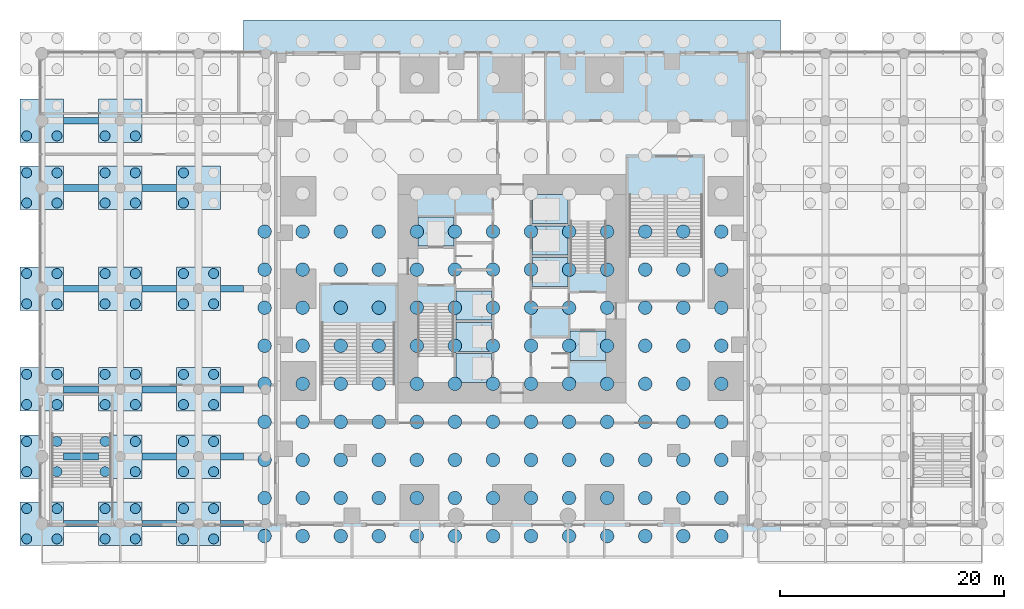
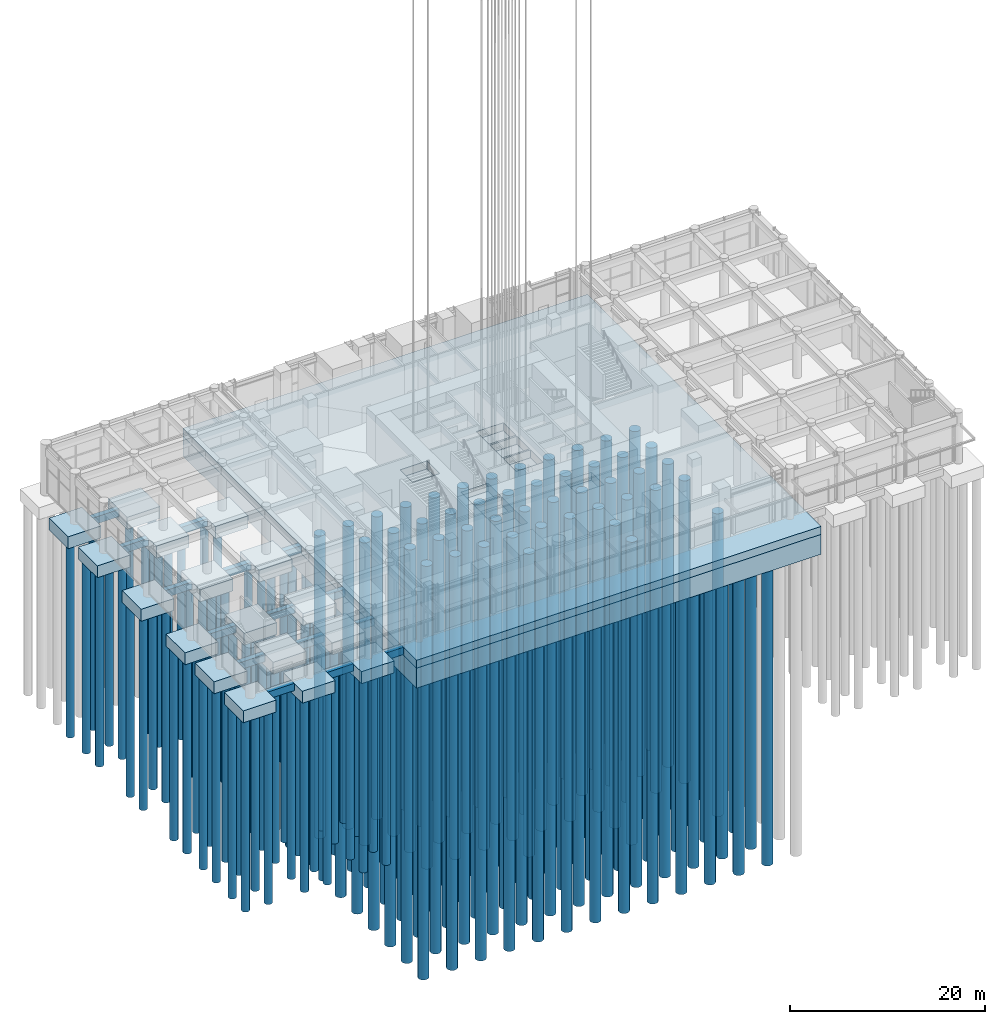
# One storey, part 1 of 46: 179 piles, 34 footings.
"""IFC4 building model written with IfcOpenShell, lengths in metres."""

from ifc_helpers import new_model, si_unit, direction, frame, frame_2d, origin, origin_2d, place, context, subcontext, project, spatial, polyline, rectangle, circle, outline, extrude, material, material_profile, profile_set, type_object, element, save


model = new_model("IFC4")

# Units and contexts
model_context = context("Model", 3, precision=1e-05, world=origin(), true_north=direction((0.0, 1.0)))
body_context = subcontext(model_context, "Body", "Model", "MODEL_VIEW")
ifc_project = project(units=[si_unit("LENGTHUNIT", "METRE"), si_unit("AREAUNIT", "SQUARE_METRE"), si_unit("VOLUMEUNIT", "CUBIC_METRE"), si_unit("PLANEANGLEUNIT", "RADIAN"), si_unit("MASSUNIT", "GRAM", prefix="KILO")], contexts=[model_context])

# Site, building, storey
site_placement = place(None, origin())
site = spatial("IfcSite", under=ifc_project, at=site_placement, CompositionType="ELEMENT")
building_placement = place(site_placement, origin())
building = spatial("IfcBuilding", under=site, at=building_placement, Name="Svetlomir Tower", CompositionType="ELEMENT")
storey_placement = place(building_placement, origin())
storey = spatial("IfcBuildingStorey", under=building, at=storey_placement, Name="L00", CompositionType="ELEMENT", Elevation=0.0)

# Piles
ifc_material_1 = material(Name="Concrete C30/37", Category="concrete")
ifc_material_profile_1 = material_profile(ifc_material_1, circle(Radius=0.60009765625, at=origin_2d()), Name="D1200")
ifc_profile_set_1 = profile_set([ifc_material_profile_1], Name="Concrete C30/37")
pile_type_1 = type_object("IfcPileType", Name="BORED PILE D1200", PredefinedType="BORED", material=ifc_profile_set_1)
for number, where, z_axis, x_axis, name in (
    (1, (-1.10009765625, -1.10009765625, -3.89990234375), (0.0, 0.0, -1.0), (1.0, 0.0, 0.0), "Raft pile R01-01"),
    (2, (-1.10009765625, 2.300048828125, -3.89990234375), (0.0, 0.0, -1.0), (1.0, 0.0, 0.0), "Raft pile R01-02"),
    (3, (-1.10009765625, 5.699951171875, -3.89990234375), (0.0, 0.0, -1.0), (1.0, 0.0, 0.0), "Raft pile R01-03"),
    (4, (-1.10009765625, 9.10009765625, -3.89990234375), (0.0, 0.0, -1.0), (1.0, 0.0, 0.0), "Raft pile R01-04"),
    (5, (-1.10009765625, 12.5, -3.89990234375), (0.0, 0.0, -1.0), (1.0, 0.0, 0.0), "Raft pile R01-05"),
    (6, (-1.10009765625, 15.89990234375, -3.89990234375), (0.0, 0.0, -1.0), (1.0, 0.0, 0.0), "Raft pile R01-06"),
    (7, (-1.10009765625, 19.300048828125, -3.89990234375), (0.0, 0.0, -1.0), (1.0, 0.0, 0.0), "Raft pile R01-07"),
    (8, (-1.10009765625, 22.699951171875, -3.89990234375), (0.0, 0.0, -1.0), (1.0, 0.0, 0.0), "Raft pile R01-08"),
    (9, (-1.10009765625, 26.10009765625, -3.89990234375), (0.0, 0.0, -1.0), (1.0, 0.0, 0.0), "Raft pile R01-09"),
    (10, (2.300048828125, -1.10009765625, -3.89990234375), (0.0, 0.0, -1.0), (1.0, 0.0, 0.0), "Raft pile R02-01"),
    (11, (2.300048828125, 2.300048828125, -3.89990234375), (0.0, 0.0, -1.0), (1.0, 0.0, 0.0), "Raft pile R02-02"),
    (12, (2.300048828125, 5.699951171875, -3.89990234375), (0.0, 0.0, -1.0), (1.0, 0.0, 0.0), "Raft pile R02-03"),
    (13, (2.300048828125, 9.10009765625, -3.89990234375), (0.0, 0.0, -1.0), (1.0, 0.0, 0.0), "Raft pile R02-04"),
    (14, (2.300048828125, 12.5, -3.89990234375), (0.0, 0.0, -1.0), (1.0, 0.0, 0.0), "Raft pile R02-05"),
    (15, (2.300048828125, 15.89990234375, -3.89990234375), (0.0, 0.0, -1.0), (1.0, 0.0, 0.0), "Raft pile R02-06"),
    (16, (2.300048828125, 19.300048828125, -3.89990234375), (0.0, 0.0, -1.0), (1.0, 0.0, 0.0), "Raft pile R02-07"),
    (17, (2.300048828125, 22.699951171875, -3.89990234375), (0.0, 0.0, -1.0), (1.0, 0.0, 0.0), "Raft pile R02-08"),
    (18, (2.300048828125, 26.10009765625, -3.89990234375), (0.0, 0.0, -1.0), (1.0, 0.0, 0.0), "Raft pile R02-09"),
    (19, (5.699951171875, -1.10009765625, -3.89990234375), (0.0, 0.0, -1.0), (1.0, 0.0, 0.0), "Raft pile R03-01"),
    (20, (5.699951171875, 2.300048828125, -3.89990234375), (0.0, 0.0, -1.0), (1.0, 0.0, 0.0), "Raft pile R03-02"),
    (21, (5.699951171875, 5.699951171875, -3.89990234375), (0.0, 0.0, -1.0), (1.0, 0.0, 0.0), "Raft pile R03-03"),
    (22, (5.699951171875, 9.10009765625, -3.89990234375), (0.0, 0.0, -1.0), (1.0, 0.0, 0.0), "Raft pile R03-04"),
    (23, (5.699951171875, 12.5, -3.89990234375), (0.0, 0.0, -1.0), (1.0, 0.0, 0.0), "Raft pile R03-05"),
    (24, (5.699951171875, 15.89990234375, -3.89990234375), (0.0, 0.0, -1.0), (1.0, 0.0, 0.0), "Raft pile R03-06"),
    (25, (5.699951171875, 19.300048828125, -3.89990234375), (0.0, 0.0, -1.0), (1.0, 0.0, 0.0), "Raft pile R03-07"),
    (26, (5.699951171875, 22.699951171875, -3.89990234375), (0.0, 0.0, -1.0), (1.0, 0.0, 0.0), "Raft pile R03-08"),
    (27, (5.699951171875, 26.10009765625, -3.89990234375), (0.0, 0.0, -1.0), (1.0, 0.0, 0.0), "Raft pile R03-09"),
    (28, (9.10009765625, -1.10009765625, -3.89990234375), (0.0, 0.0, -1.0), (1.0, 0.0, 0.0), "Raft pile R04-01"),
    (29, (9.10009765625, 2.300048828125, -3.89990234375), (0.0, 0.0, -1.0), (1.0, 0.0, 0.0), "Raft pile R04-02"),
    (30, (9.10009765625, 5.699951171875, -3.89990234375), (0.0, 0.0, -1.0), (1.0, 0.0, 0.0), "Raft pile R04-03"),
    (31, (9.10009765625, 9.10009765625, -3.89990234375), (0.0, 0.0, -1.0), (1.0, 0.0, 0.0), "Raft pile R04-04"),
    (32, (9.10009765625, 12.5, -3.89990234375), (0.0, 0.0, -1.0), (1.0, 0.0, 0.0), "Raft pile R04-05"),
    (33, (9.10009765625, 15.89990234375, -3.89990234375), (0.0, 0.0, -1.0), (1.0, 0.0, 0.0), "Raft pile R04-06"),
    (34, (9.10009765625, 19.300048828125, -3.89990234375), (0.0, 0.0, -1.0), (1.0, 0.0, 0.0), "Raft pile R04-07"),
    (35, (9.10009765625, 22.699951171875, -3.89990234375), (0.0, 0.0, -1.0), (1.0, 0.0, 0.0), "Raft pile R04-08"),
    (36, (9.10009765625, 26.10009765625, -3.89990234375), (0.0, 0.0, -1.0), (1.0, 0.0, 0.0), "Raft pile R04-09"),
    (37, (12.5, -1.10009765625, -3.89990234375), (0.0, 0.0, -1.0), (1.0, 0.0, 0.0), "Raft pile R05-01"),
    (38, (12.5, 2.300048828125, -3.89990234375), (0.0, 0.0, -1.0), (1.0, 0.0, 0.0), "Raft pile R05-02"),
    (39, (12.5, 5.699951171875, -3.89990234375), (0.0, 0.0, -1.0), (1.0, 0.0, 0.0), "Raft pile R05-03"),
    (40, (12.5, 9.10009765625, -3.89990234375), (0.0, 0.0, -1.0), (1.0, 0.0, 0.0), "Raft pile R05-04"),
    (41, (12.5, 12.5, -3.89990234375), (0.0, 0.0, -1.0), (1.0, 0.0, 0.0), "Raft pile R05-05"),
    (42, (12.5, 15.89990234375, -3.89990234375), (0.0, 0.0, -1.0), (1.0, 0.0, 0.0), "Raft pile R05-06"),
    (43, (12.5, 19.300048828125, -3.89990234375), (0.0, 0.0, -1.0), (1.0, 0.0, 0.0), "Raft pile R05-07"),
    (44, (12.5, 22.699951171875, -3.89990234375), (0.0, 0.0, -1.0), (1.0, 0.0, 0.0), "Raft pile R05-08"),
    (45, (12.5, 26.10009765625, -3.89990234375), (0.0, 0.0, -1.0), (1.0, 0.0, 0.0), "Raft pile R05-09"),
    (46, (15.89990234375, -1.10009765625, -3.89990234375), (0.0, 0.0, -1.0), (1.0, 0.0, 0.0), "Raft pile R06-01"),
    (47, (15.89990234375, 2.300048828125, -3.89990234375), (0.0, 0.0, -1.0), (1.0, 0.0, 0.0), "Raft pile R06-02"),
    (48, (15.89990234375, 5.699951171875, -3.89990234375), (0.0, 0.0, -1.0), (1.0, 0.0, 0.0), "Raft pile R06-03"),
    (49, (15.89990234375, 9.10009765625, -3.89990234375), (0.0, 0.0, -1.0), (1.0, 0.0, 0.0), "Raft pile R06-04"),
    (50, (15.89990234375, 12.5, -3.89990234375), (0.0, 0.0, -1.0), (1.0, 0.0, 0.0), "Raft pile R06-05"),
    (51, (15.89990234375, 15.89990234375, -3.89990234375), (0.0, 0.0, -1.0), (1.0, 0.0, 0.0), "Raft pile R06-06"),
    (52, (15.89990234375, 19.300048828125, -3.89990234375), (0.0, 0.0, -1.0), (1.0, 0.0, 0.0), "Raft pile R06-07"),
    (53, (15.89990234375, 22.699951171875, -3.89990234375), (0.0, 0.0, -1.0), (1.0, 0.0, 0.0), "Raft pile R06-08"),
    (54, (15.89990234375, 26.10009765625, -3.89990234375), (0.0, 0.0, -1.0), (1.0, 0.0, 0.0), "Raft pile R06-09"),
    (55, (19.300048828125, -1.10009765625, -3.89990234375), (0.0, 0.0, -1.0), (1.0, 0.0, 0.0), "Raft pile R07-01"),
    (56, (19.300048828125, 2.300048828125, -3.89990234375), (0.0, 0.0, -1.0), (1.0, 0.0, 0.0), "Raft pile R07-02"),
    (57, (19.300048828125, 5.699951171875, -3.89990234375), (0.0, 0.0, -1.0), (1.0, 0.0, 0.0), "Raft pile R07-03"),
    (58, (19.300048828125, 9.10009765625, -3.89990234375), (0.0, 0.0, -1.0), (1.0, 0.0, 0.0), "Raft pile R07-04"),
    (59, (19.300048828125, 12.5, -3.89990234375), (0.0, 0.0, -1.0), (1.0, 0.0, 0.0), "Raft pile R07-05"),
    (60, (19.300048828125, 15.89990234375, -3.89990234375), (0.0, 0.0, -1.0), (1.0, 0.0, 0.0), "Raft pile R07-06"),
    (61, (19.300048828125, 19.300048828125, -3.89990234375), (0.0, 0.0, -1.0), (1.0, 0.0, 0.0), "Raft pile R07-07"),
    (62, (19.300048828125, 22.699951171875, -3.89990234375), (0.0, 0.0, -1.0), (1.0, 0.0, 0.0), "Raft pile R07-08"),
    (63, (19.300048828125, 26.10009765625, -3.89990234375), (0.0, 0.0, -1.0), (1.0, 0.0, 0.0), "Raft pile R07-09"),
    (64, (22.699951171875, -1.10009765625, -3.89990234375), (0.0, 0.0, -1.0), (1.0, 0.0, 0.0), "Raft pile R08-01"),
    (65, (22.699951171875, 2.300048828125, -3.89990234375), (0.0, 0.0, -1.0), (1.0, 0.0, 0.0), "Raft pile R08-02"),
    (66, (22.699951171875, 5.699951171875, -3.89990234375), (0.0, 0.0, -1.0), (1.0, 0.0, 0.0), "Raft pile R08-03"),
    (67, (22.699951171875, 9.10009765625, -3.89990234375), (0.0, 0.0, -1.0), (1.0, 0.0, 0.0), "Raft pile R08-04"),
    (68, (22.699951171875, 12.5, -3.89990234375), (0.0, 0.0, -1.0), (1.0, 0.0, 0.0), "Raft pile R08-05"),
    (69, (22.699951171875, 15.89990234375, -3.89990234375), (0.0, 0.0, -1.0), (1.0, 0.0, 0.0), "Raft pile R08-06"),
    (70, (22.699951171875, 19.300048828125, -3.89990234375), (0.0, 0.0, -1.0), (1.0, 0.0, 0.0), "Raft pile R08-07"),
    (71, (22.699951171875, 22.699951171875, -3.89990234375), (0.0, 0.0, -1.0), (1.0, 0.0, 0.0), "Raft pile R08-08"),
    (72, (22.699951171875, 26.10009765625, -3.89990234375), (0.0, 0.0, -1.0), (1.0, 0.0, 0.0), "Raft pile R08-09"),
    (73, (26.10009765625, -1.10009765625, -3.89990234375), (0.0, 0.0, -1.0), (1.0, 0.0, 0.0), "Raft pile R09-01"),
    (74, (26.10009765625, 2.300048828125, -3.89990234375), (0.0, 0.0, -1.0), (1.0, 0.0, 0.0), "Raft pile R09-02"),
    (75, (26.10009765625, 5.699951171875, -3.89990234375), (0.0, 0.0, -1.0), (1.0, 0.0, 0.0), "Raft pile R09-03"),
    (76, (26.10009765625, 9.10009765625, -3.89990234375), (0.0, 0.0, -1.0), (1.0, 0.0, 0.0), "Raft pile R09-04"),
    (77, (26.10009765625, 12.5, -3.89990234375), (0.0, 0.0, -1.0), (1.0, 0.0, 0.0), "Raft pile R09-05"),
    (78, (26.10009765625, 15.89990234375, -3.89990234375), (0.0, 0.0, -1.0), (1.0, 0.0, 0.0), "Raft pile R09-06"),
    (79, (26.10009765625, 19.300048828125, -3.89990234375), (0.0, 0.0, -1.0), (1.0, 0.0, 0.0), "Raft pile R09-07"),
    (80, (26.10009765625, 22.699951171875, -3.89990234375), (0.0, 0.0, -1.0), (1.0, 0.0, 0.0), "Raft pile R09-08"),
    (81, (26.10009765625, 26.10009765625, -3.89990234375), (0.0, 0.0, -1.0), (1.0, 0.0, 0.0), "Raft pile R09-09"),
    (82, (29.5, -1.10009765625, -3.89990234375), (0.0, 0.0, -1.0), (1.0, 0.0, 0.0), "Raft pile R10-01"),
    (83, (29.5, 2.300048828125, -3.89990234375), (0.0, 0.0, -1.0), (1.0, 0.0, 0.0), "Raft pile R10-02"),
    (84, (29.5, 5.699951171875, -3.89990234375), (0.0, 0.0, -1.0), (1.0, 0.0, 0.0), "Raft pile R10-03"),
    (85, (29.5, 9.10009765625, -3.89990234375), (0.0, 0.0, -1.0), (1.0, 0.0, 0.0), "Raft pile R10-04"),
    (86, (29.5, 12.5, -3.89990234375), (0.0, 0.0, -1.0), (1.0, 0.0, 0.0), "Raft pile R10-05"),
    (87, (29.5, 15.89990234375, -3.89990234375), (0.0, 0.0, -1.0), (1.0, 0.0, 0.0), "Raft pile R10-06"),
    (88, (29.5, 19.300048828125, -3.89990234375), (0.0, 0.0, -1.0), (1.0, 0.0, 0.0), "Raft pile R10-07"),
    (89, (29.5, 22.699951171875, -3.89990234375), (0.0, 0.0, -1.0), (1.0, 0.0, 0.0), "Raft pile R10-08"),
    (90, (29.5, 26.10009765625, -3.89990234375), (0.0, 0.0, -1.0), (1.0, 0.0, 0.0), "Raft pile R10-09"),
    (91, (32.89990234375, -1.10009765625, -3.89990234375), (0.0, 0.0, -1.0), (1.0, 0.0, 0.0), "Raft pile R11-01"),
    (92, (32.89990234375, 2.300048828125, -3.89990234375), (0.0, 0.0, -1.0), (1.0, 0.0, 0.0), "Raft pile R11-02"),
    (93, (32.89990234375, 5.699951171875, -3.89990234375), (0.0, 0.0, -1.0), (1.0, 0.0, 0.0), "Raft pile R11-03"),
    (94, (32.89990234375, 9.10009765625, -3.89990234375), (0.0, 0.0, -1.0), (1.0, 0.0, 0.0), "Raft pile R11-04"),
    (95, (32.89990234375, 12.5, -3.89990234375), (0.0, 0.0, -1.0), (1.0, 0.0, 0.0), "Raft pile R11-05"),
    (96, (32.89990234375, 15.89990234375, -3.89990234375), (0.0, 0.0, -1.0), (1.0, 0.0, 0.0), "Raft pile R11-06"),
    (97, (32.89990234375, 19.300048828125, -3.89990234375), (0.0, 0.0, -1.0), (1.0, 0.0, 0.0), "Raft pile R11-07"),
    (98, (32.89990234375, 22.699951171875, -3.89990234375), (0.0, 0.0, -1.0), (1.0, 0.0, 0.0), "Raft pile R11-08"),
    (99, (32.89990234375, 26.10009765625, -3.89990234375), (0.0, 0.0, -1.0), (1.0, 0.0, 0.0), "Raft pile R11-09"),
    (100, (36.300048828125, -1.10009765625, -3.89990234375), (0.0, 0.0, -1.0), (1.0, 0.0, 0.0), "Raft pile R12-01"),
    (101, (36.300048828125, 2.300048828125, -3.89990234375), (0.0, 0.0, -1.0), (1.0, 0.0, 0.0), "Raft pile R12-02"),
    (102, (36.300048828125, 5.699951171875, -3.89990234375), (0.0, 0.0, -1.0), (1.0, 0.0, 0.0), "Raft pile R12-03"),
    (103, (36.300048828125, 9.10009765625, -3.89990234375), (0.0, 0.0, -1.0), (1.0, 0.0, 0.0), "Raft pile R12-04"),
    (104, (36.300048828125, 12.5, -3.89990234375), (0.0, 0.0, -1.0), (1.0, 0.0, 0.0), "Raft pile R12-05"),
    (105, (36.300048828125, 15.89990234375, -3.89990234375), (0.0, 0.0, -1.0), (1.0, 0.0, 0.0), "Raft pile R12-06"),
    (106, (36.300048828125, 19.300048828125, -3.89990234375), (0.0, 0.0, -1.0), (1.0, 0.0, 0.0), "Raft pile R12-07"),
    (107, (36.300048828125, 22.699951171875, -3.89990234375), (0.0, 0.0, -1.0), (1.0, 0.0, 0.0), "Raft pile R12-08"),
    (108, (36.300048828125, 26.10009765625, -3.89990234375), (0.0, 0.0, -1.0), (1.0, 0.0, 0.0), "Raft pile R12-09"),
    (109, (39.699951171875, -1.10009765625, -3.89990234375), (0.0, 0.0, -1.0), (1.0, 0.0, 0.0), "Raft pile R13-01"),
    (110, (39.699951171875, 2.300048828125, -3.89990234375), (0.0, 0.0, -1.0), (1.0, 0.0, 0.0), "Raft pile R13-02"),
    (111, (39.699951171875, 5.699951171875, -3.89990234375), (0.0, 0.0, -1.0), (1.0, 0.0, 0.0), "Raft pile R13-03"),
    (112, (39.699951171875, 9.10009765625, -3.89990234375), (0.0, 0.0, -1.0), (1.0, 0.0, 0.0), "Raft pile R13-04"),
    (113, (39.699951171875, 12.5, -3.89990234375), (0.0, 0.0, -1.0), (1.0, 0.0, 0.0), "Raft pile R13-05"),
    (114, (39.699951171875, 15.89990234375, -3.89990234375), (0.0, 0.0, -1.0), (1.0, 0.0, 0.0), "Raft pile R13-06"),
    (115, (39.699951171875, 19.300048828125, -3.89990234375), (0.0, 0.0, -1.0), (1.0, 0.0, 0.0), "Raft pile R13-07"),
    (116, (39.699951171875, 22.699951171875, -3.89990234375), (0.0, 0.0, -1.0), (1.0, 0.0, 0.0), "Raft pile R13-08"),
    (117, (39.699951171875, 26.10009765625, -3.89990234375), (0.0, 0.0, -1.0), (1.0, 0.0, 0.0), "Raft pile R13-09"),
):
    element("IfcPile", number, at=place(storey_placement, frame(where, z_axis=z_axis, x_axis=x_axis)), inside=storey, type_object=pile_type_1, Name=name, PredefinedType="BORED", context=body_context, shape_type="SweptSolid", body=[
        extrude(circle(Radius=0.60009765625, at=frame_2d((0.0, 0.0), x_axis=(0.999847695156, 0.017452406437))), origin(), (0.0, 0.0, 1.0), 38.0),
    ])
ifc_material_2 = material(Name="Concrete C30/37", Category="concrete")
ifc_material_profile_2 = material_profile(ifc_material_2, circle(Radius=0.449951171875, at=origin_2d()), Name="RC D900")
ifc_profile_set_2 = profile_set([ifc_material_profile_2], Name="Concrete C30/37")
pile_type_2 = type_object("IfcPileType", Name="BORED PILE D900", PredefinedType="BORED", material=ifc_profile_set_2)
for number, where, z_axis, x_axis, name in (
    (118, (-22.35009765625, -1.35009765625, -1.89990234375), (0.0, 0.0, -1.0), (1.0, 0.0, 0.0), "Cap pile -21/0-1"),
    (119, (-19.64990234375, -1.35009765625, -1.89990234375), (0.0, 0.0, -1.0), (1.0, 0.0, 0.0), "Cap pile -21/0-2"),
    (120, (-22.35009765625, 1.35009765625, -1.89990234375), (0.0, 0.0, -1.0), (1.0, 0.0, 0.0), "Cap pile -21/0-3"),
    (121, (-19.64990234375, 1.35009765625, -1.89990234375), (0.0, 0.0, -1.0), (1.0, 0.0, 0.0), "Cap pile -21/0-4"),
    (122, (-15.35009765625, -1.35009765625, -1.89990234375), (0.0, 0.0, -1.0), (1.0, 0.0, 0.0), "Cap pile -14/0-1"),
    (123, (-12.64990234375, -1.35009765625, -1.89990234375), (0.0, 0.0, -1.0), (1.0, 0.0, 0.0), "Cap pile -14/0-2"),
    (124, (-15.35009765625, 1.35009765625, -1.89990234375), (0.0, 0.0, -1.0), (1.0, 0.0, 0.0), "Cap pile -14/0-3"),
    (125, (-12.64990234375, 1.35009765625, -1.89990234375), (0.0, 0.0, -1.0), (1.0, 0.0, 0.0), "Cap pile -14/0-4"),
    (126, (-8.35009765625, -1.35009765625, -1.89990234375), (0.0, 0.0, -1.0), (1.0, 0.0, 0.0), "Cap pile -7/0-1"),
    (127, (-5.64990234375, -1.35009765625, -1.89990234375), (0.0, 0.0, -1.0), (1.0, 0.0, 0.0), "Cap pile -7/0-2"),
    (128, (-8.35009765625, 1.35009765625, -1.89990234375), (0.0, 0.0, -1.0), (1.0, 0.0, 0.0), "Cap pile -7/0-3"),
    (129, (-5.64990234375, 1.35009765625, -1.89990234375), (0.0, 0.0, -1.0), (1.0, 0.0, 0.0), "Cap pile -7/0-4"),
    (130, (-22.35009765625, 4.64990234375, -1.89990234375), (0.0, 0.0, -1.0), (1.0, 0.0, 0.0), "Cap pile -21/6-1"),
    (131, (-19.64990234375, 4.64990234375, -1.89990234375), (0.0, 0.0, -1.0), (1.0, 0.0, 0.0), "Cap pile -21/6-2"),
    (132, (-22.35009765625, 7.35009765625, -1.89990234375), (0.0, 0.0, -1.0), (1.0, 0.0, 0.0), "Cap pile -21/6-3"),
    (133, (-19.64990234375, 7.35009765625, -1.89990234375), (0.0, 0.0, -1.0), (1.0, 0.0, 0.0), "Cap pile -21/6-4"),
    (134, (-15.35009765625, 4.64990234375, -1.89990234375), (0.0, 0.0, -1.0), (1.0, 0.0, 0.0), "Cap pile -14/6-1"),
    (135, (-12.64990234375, 4.64990234375, -1.89990234375), (0.0, 0.0, -1.0), (1.0, 0.0, 0.0), "Cap pile -14/6-2"),
    (136, (-15.35009765625, 7.35009765625, -1.89990234375), (0.0, 0.0, -1.0), (1.0, 0.0, 0.0), "Cap pile -14/6-3"),
    (137, (-12.64990234375, 7.35009765625, -1.89990234375), (0.0, 0.0, -1.0), (1.0, 0.0, 0.0), "Cap pile -14/6-4"),
    (138, (-8.35009765625, 4.64990234375, -1.89990234375), (0.0, 0.0, -1.0), (1.0, 0.0, 0.0), "Cap pile -7/6-1"),
    (139, (-5.64990234375, 4.64990234375, -1.89990234375), (0.0, 0.0, -1.0), (1.0, 0.0, 0.0), "Cap pile -7/6-2"),
    (140, (-8.35009765625, 7.35009765625, -1.89990234375), (0.0, 0.0, -1.0), (1.0, 0.0, 0.0), "Cap pile -7/6-3"),
    (141, (-5.64990234375, 7.35009765625, -1.89990234375), (0.0, 0.0, -1.0), (1.0, 0.0, 0.0), "Cap pile -7/6-4"),
    (142, (-22.35009765625, 10.64990234375, -1.89990234375), (0.0, 0.0, -1.0), (1.0, 0.0, 0.0), "Cap pile -21/12-1"),
    (143, (-19.64990234375, 10.64990234375, -1.89990234375), (0.0, 0.0, -1.0), (1.0, 0.0, 0.0), "Cap pile -21/12-2"),
    (144, (-22.35009765625, 13.35009765625, -1.89990234375), (0.0, 0.0, -1.0), (1.0, 0.0, 0.0), "Cap pile -21/12-3"),
    (145, (-19.64990234375, 13.35009765625, -1.89990234375), (0.0, 0.0, -1.0), (1.0, 0.0, 0.0), "Cap pile -21/12-4"),
    (146, (-15.35009765625, 10.64990234375, -1.89990234375), (0.0, 0.0, -1.0), (1.0, 0.0, 0.0), "Cap pile -14/12-1"),
    (147, (-12.64990234375, 10.64990234375, -1.89990234375), (0.0, 0.0, -1.0), (1.0, 0.0, 0.0), "Cap pile -14/12-2"),
    (148, (-15.35009765625, 13.35009765625, -1.89990234375), (0.0, 0.0, -1.0), (1.0, 0.0, 0.0), "Cap pile -14/12-3"),
    (149, (-12.64990234375, 13.35009765625, -1.89990234375), (0.0, 0.0, -1.0), (1.0, 0.0, 0.0), "Cap pile -14/12-4"),
    (150, (-8.35009765625, 10.64990234375, -1.89990234375), (0.0, 0.0, -1.0), (1.0, 0.0, 0.0), "Cap pile -7/12-1"),
    (151, (-5.64990234375, 10.64990234375, -1.89990234375), (0.0, 0.0, -1.0), (1.0, 0.0, 0.0), "Cap pile -7/12-2"),
    (152, (-8.35009765625, 13.35009765625, -1.89990234375), (0.0, 0.0, -1.0), (1.0, 0.0, 0.0), "Cap pile -7/12-3"),
    (153, (-5.64990234375, 13.35009765625, -1.89990234375), (0.0, 0.0, -1.0), (1.0, 0.0, 0.0), "Cap pile -7/12-4"),
    (154, (-22.35009765625, 19.64990234375, -1.89990234375), (0.0, 0.0, -1.0), (1.0, 0.0, 0.0), "Cap pile -21/21-1"),
    (155, (-19.64990234375, 19.64990234375, -1.89990234375), (0.0, 0.0, -1.0), (1.0, 0.0, 0.0), "Cap pile -21/21-2"),
    (156, (-22.35009765625, 22.35009765625, -1.89990234375), (0.0, 0.0, -1.0), (1.0, 0.0, 0.0), "Cap pile -21/21-3"),
    (157, (-19.64990234375, 22.35009765625, -1.89990234375), (0.0, 0.0, -1.0), (1.0, 0.0, 0.0), "Cap pile -21/21-4"),
    (158, (-15.35009765625, 19.64990234375, -1.89990234375), (0.0, 0.0, -1.0), (1.0, 0.0, 0.0), "Cap pile -14/21-1"),
    (159, (-12.64990234375, 19.64990234375, -1.89990234375), (0.0, 0.0, -1.0), (1.0, 0.0, 0.0), "Cap pile -14/21-2"),
    (160, (-15.35009765625, 22.35009765625, -1.89990234375), (0.0, 0.0, -1.0), (1.0, 0.0, 0.0), "Cap pile -14/21-3"),
    (161, (-12.64990234375, 22.35009765625, -1.89990234375), (0.0, 0.0, -1.0), (1.0, 0.0, 0.0), "Cap pile -14/21-4"),
    (162, (-8.35009765625, 19.64990234375, -1.89990234375), (0.0, 0.0, -1.0), (1.0, 0.0, 0.0), "Cap pile -7/21-1"),
    (163, (-5.64990234375, 19.64990234375, -1.89990234375), (0.0, 0.0, -1.0), (1.0, 0.0, 0.0), "Cap pile -7/21-2"),
    (164, (-8.35009765625, 22.35009765625, -1.89990234375), (0.0, 0.0, -1.0), (1.0, 0.0, 0.0), "Cap pile -7/21-3"),
    (165, (-5.64990234375, 22.35009765625, -1.89990234375), (0.0, 0.0, -1.0), (1.0, 0.0, 0.0), "Cap pile -7/21-4"),
    (166, (-22.35009765625, 28.64990234375, -1.89990234375), (0.0, 0.0, -1.0), (1.0, 0.0, 0.0), "Cap pile -21/30-1"),
    (167, (-19.64990234375, 28.64990234375, -1.89990234375), (0.0, 0.0, -1.0), (1.0, 0.0, 0.0), "Cap pile -21/30-2"),
    (168, (-22.35009765625, 31.35009765625, -1.89990234375), (0.0, 0.0, -1.0), (1.0, 0.0, 0.0), "Cap pile -21/30-3"),
    (169, (-19.64990234375, 31.35009765625, -1.89990234375), (0.0, 0.0, -1.0), (1.0, 0.0, 0.0), "Cap pile -21/30-4"),
    (170, (-15.35009765625, 28.64990234375, -1.89990234375), (0.0, 0.0, -1.0), (1.0, 0.0, 0.0), "Cap pile -14/30-1"),
    (171, (-12.64990234375, 28.64990234375, -1.89990234375), (0.0, 0.0, -1.0), (1.0, 0.0, 0.0), "Cap pile -14/30-2"),
    (172, (-15.35009765625, 31.35009765625, -1.89990234375), (0.0, 0.0, -1.0), (1.0, 0.0, 0.0), "Cap pile -14/30-3"),
    (173, (-12.64990234375, 31.35009765625, -1.89990234375), (0.0, 0.0, -1.0), (1.0, 0.0, 0.0), "Cap pile -14/30-4"),
    (174, (-8.35009765625, 28.64990234375, -1.89990234375), (0.0, 0.0, -1.0), (1.0, 0.0, 0.0), "Cap pile -7/30-1"),
    (175, (-8.35009765625, 31.35009765625, -1.89990234375), (0.0, 0.0, -1.0), (1.0, 0.0, 0.0), "Cap pile -7/30-3"),
    (176, (-22.35009765625, 34.64990234375, -1.89990234375), (0.0, 0.0, -1.0), (1.0, 0.0, 0.0), "Cap pile -21/36-1"),
    (177, (-19.64990234375, 34.64990234375, -1.89990234375), (0.0, 0.0, -1.0), (1.0, 0.0, 0.0), "Cap pile -21/36-2"),
    (178, (-15.35009765625, 34.64990234375, -1.89990234375), (0.0, 0.0, -1.0), (1.0, 0.0, 0.0), "Cap pile -14/36-1"),
    (179, (-12.64990234375, 34.64990234375, -1.89990234375), (0.0, 0.0, -1.0), (1.0, 0.0, 0.0), "Cap pile -14/36-2"),
):
    element("IfcPile", number, at=place(storey_placement, frame(where, z_axis=z_axis, x_axis=x_axis)), inside=storey, type_object=pile_type_2, Name=name, PredefinedType="BORED", context=body_context, shape_type="SweptSolid", body=[
        extrude(circle(Radius=0.449951171875, at=frame_2d((0.0, 0.0), x_axis=(0.999847695156, 0.017452406437))), origin(), (0.0, 0.0, 1.0), 24.0),
    ])

# Footings
ifc_material_3 = material(Name="Concrete C35/45", Category="concrete")
footing_type_1 = type_object("IfcFootingType", Name="GROUND BEAM 600x900", PredefinedType="FOOTING_BEAM", material=ifc_material_3)
for number, where, z_axis, x_axis, name in (
    (180, (-17.5, 0.0, -1.300048828125), (0.0, 0.0, 1.0), (1.0, 0.0, 0.0), "Ground beam -19.05 to -15.95 on 0"),
    (181, (-10.5, 0.0, -1.300048828125), (0.0, 0.0, 1.0), (1.0, 0.0, 0.0), "Ground beam -12.05 to -8.95 on 0"),
):
    element("IfcFooting", number, at=place(storey_placement, frame(where, z_axis=z_axis, x_axis=x_axis)), inside=storey, type_object=footing_type_1, Name=name, PredefinedType="FOOTING_BEAM", context=body_context, shape_type="SweptSolid", body=[
        extrude(rectangle(XDim=3.10009765625, YDim=0.60009765625, at=origin_2d()), origin(), (0.0, 0.0, 1.0), 0.89990234375),
    ])
footing_1_placement = place(storey_placement, frame((-4.02490234375, 0.0, -1.300048828125), z_axis=(0.0, 0.0, 1.0), x_axis=(1.0, 0.0, 0.0)))
element("IfcFooting", 182, at=footing_1_placement, inside=storey, type_object=footing_type_1, Name="Ground beam -5.05 to -3 on 0", PredefinedType="FOOTING_BEAM", context=body_context, shape_type="SweptSolid", body=[
    extrude(rectangle(XDim=2.050048828125, YDim=0.60009765625, at=origin_2d()), origin(), (0.0, 0.0, 1.0), 0.89990234375),
])
for number, where, z_axis, x_axis, name in (
    (183, (-17.5, 6.0, -1.300048828125), (0.0, 0.0, 1.0), (1.0, 0.0, 0.0), "Ground beam -19.05 to -15.95 on 6"),
    (184, (-10.5, 6.0, -1.300048828125), (0.0, 0.0, 1.0), (1.0, 0.0, 0.0), "Ground beam -12.05 to -8.95 on 6"),
):
    element("IfcFooting", number, at=place(storey_placement, frame(where, z_axis=z_axis, x_axis=x_axis)), inside=storey, type_object=footing_type_1, Name=name, PredefinedType="FOOTING_BEAM", context=body_context, shape_type="SweptSolid", body=[
        extrude(rectangle(XDim=3.10009765625, YDim=0.60009765625, at=origin_2d()), origin(), (0.0, 0.0, 1.0), 0.89990234375),
    ])
footing_2_placement = place(storey_placement, frame((-4.02490234375, 6.0, -1.300048828125), z_axis=(0.0, 0.0, 1.0), x_axis=(1.0, 0.0, 0.0)))
element("IfcFooting", 185, at=footing_2_placement, inside=storey, type_object=footing_type_1, Name="Ground beam -5.05 to -3 on 6", PredefinedType="FOOTING_BEAM", context=body_context, shape_type="SweptSolid", body=[
    extrude(rectangle(XDim=2.050048828125, YDim=0.60009765625, at=origin_2d()), origin(), (0.0, 0.0, 1.0), 0.89990234375),
])
for number, where, z_axis, x_axis, name in (
    (186, (-17.5, 12.0, -1.300048828125), (0.0, 0.0, 1.0), (1.0, 0.0, 0.0), "Ground beam -19.05 to -15.95 on 12"),
    (187, (-10.5, 12.0, -1.300048828125), (0.0, 0.0, 1.0), (1.0, 0.0, 0.0), "Ground beam -12.05 to -8.95 on 12"),
):
    element("IfcFooting", number, at=place(storey_placement, frame(where, z_axis=z_axis, x_axis=x_axis)), inside=storey, type_object=footing_type_1, Name=name, PredefinedType="FOOTING_BEAM", context=body_context, shape_type="SweptSolid", body=[
        extrude(rectangle(XDim=3.10009765625, YDim=0.60009765625, at=origin_2d()), origin(), (0.0, 0.0, 1.0), 0.89990234375),
    ])
footing_3_placement = place(storey_placement, frame((-4.02490234375, 12.0, -1.300048828125), z_axis=(0.0, 0.0, 1.0), x_axis=(1.0, 0.0, 0.0)))
element("IfcFooting", 188, at=footing_3_placement, inside=storey, type_object=footing_type_1, Name="Ground beam -5.05 to -3 on 12", PredefinedType="FOOTING_BEAM", context=body_context, shape_type="SweptSolid", body=[
    extrude(rectangle(XDim=2.050048828125, YDim=0.60009765625, at=origin_2d()), origin(), (0.0, 0.0, 1.0), 0.89990234375),
])
for number, where, z_axis, x_axis, name in (
    (189, (-17.5, 21.0, -1.300048828125), (0.0, 0.0, 1.0), (1.0, 0.0, 0.0), "Ground beam -19.05 to -15.95 on 21"),
    (190, (-10.5, 21.0, -1.300048828125), (0.0, 0.0, 1.0), (1.0, 0.0, 0.0), "Ground beam -12.05 to -8.95 on 21"),
):
    element("IfcFooting", number, at=place(storey_placement, frame(where, z_axis=z_axis, x_axis=x_axis)), inside=storey, type_object=footing_type_1, Name=name, PredefinedType="FOOTING_BEAM", context=body_context, shape_type="SweptSolid", body=[
        extrude(rectangle(XDim=3.10009765625, YDim=0.60009765625, at=origin_2d()), origin(), (0.0, 0.0, 1.0), 0.89990234375),
    ])
footing_4_placement = place(storey_placement, frame((-4.02490234375, 21.0, -1.300048828125), z_axis=(0.0, 0.0, 1.0), x_axis=(1.0, 0.0, 0.0)))
element("IfcFooting", 191, at=footing_4_placement, inside=storey, type_object=footing_type_1, Name="Ground beam -5.05 to -3 on 21", PredefinedType="FOOTING_BEAM", context=body_context, shape_type="SweptSolid", body=[
    extrude(rectangle(XDim=2.050048828125, YDim=0.60009765625, at=origin_2d()), origin(), (0.0, 0.0, 1.0), 0.89990234375),
])
for number, where, z_axis, x_axis, name in (
    (192, (-17.5, 30.0, -1.300048828125), (0.0, 0.0, 1.0), (1.0, 0.0, 0.0), "Ground beam -19.05 to -15.95 on 30"),
    (193, (-10.5, 30.0, -1.300048828125), (0.0, 0.0, 1.0), (1.0, 0.0, 0.0), "Ground beam -12.05 to -8.95 on 30"),
    (194, (-17.5, 36.0, -1.300048828125), (0.0, 0.0, 1.0), (1.0, 0.0, 0.0), "Ground beam -19.05 to -15.95 on 36"),
):
    element("IfcFooting", number, at=place(storey_placement, frame(where, z_axis=z_axis, x_axis=x_axis)), inside=storey, type_object=footing_type_1, Name=name, PredefinedType="FOOTING_BEAM", context=body_context, shape_type="SweptSolid", body=[
        extrude(rectangle(XDim=3.10009765625, YDim=0.60009765625, at=origin_2d()), origin(), (0.0, 0.0, 1.0), 0.89990234375),
    ])
ifc_material_4 = material(Name="Concrete C35/45", Category="concrete")
footing_type_2 = type_object("IfcFootingType", Name="PILE CAP 3900x3900x1500", PredefinedType="PILE_CAP", material=ifc_material_4)
for number, where, z_axis, x_axis, name in (
    (195, (-21.0, 0.0, -1.89990234375), (0.0, 0.0, 1.0), (1.0, 0.0, 0.0), "Pile cap -21/0"),
    (196, (-14.0, 0.0, -1.89990234375), (0.0, 0.0, 1.0), (1.0, 0.0, 0.0), "Pile cap -14/0"),
    (197, (-7.0, 0.0, -1.89990234375), (0.0, 0.0, 1.0), (1.0, 0.0, 0.0), "Pile cap -7/0"),
    (198, (-21.0, 6.0, -1.89990234375), (0.0, 0.0, 1.0), (1.0, 0.0, 0.0), "Pile cap -21/6"),
    (199, (-14.0, 6.0, -1.89990234375), (0.0, 0.0, 1.0), (1.0, 0.0, 0.0), "Pile cap -14/6"),
    (200, (-7.0, 6.0, -1.89990234375), (0.0, 0.0, 1.0), (1.0, 0.0, 0.0), "Pile cap -7/6"),
    (201, (-21.0, 12.0, -1.89990234375), (0.0, 0.0, 1.0), (1.0, 0.0, 0.0), "Pile cap -21/12"),
    (202, (-14.0, 12.0, -1.89990234375), (0.0, 0.0, 1.0), (1.0, 0.0, 0.0), "Pile cap -14/12"),
    (203, (-7.0, 12.0, -1.89990234375), (0.0, 0.0, 1.0), (1.0, 0.0, 0.0), "Pile cap -7/12"),
    (204, (-21.0, 21.0, -1.89990234375), (0.0, 0.0, 1.0), (1.0, 0.0, 0.0), "Pile cap -21/21"),
    (205, (-14.0, 21.0, -1.89990234375), (0.0, 0.0, 1.0), (1.0, 0.0, 0.0), "Pile cap -14/21"),
    (206, (-7.0, 21.0, -1.89990234375), (0.0, 0.0, 1.0), (1.0, 0.0, 0.0), "Pile cap -7/21"),
    (207, (-21.0, 30.0, -1.89990234375), (0.0, 0.0, 1.0), (1.0, 0.0, 0.0), "Pile cap -21/30"),
    (208, (-14.0, 30.0, -1.89990234375), (0.0, 0.0, 1.0), (1.0, 0.0, 0.0), "Pile cap -14/30"),
    (209, (-7.0, 30.0, -1.89990234375), (0.0, 0.0, 1.0), (1.0, 0.0, 0.0), "Pile cap -7/30"),
    (210, (-21.0, 36.0, -1.89990234375), (0.0, 0.0, 1.0), (1.0, 0.0, 0.0), "Pile cap -21/36"),
    (211, (-14.0, 36.0, -1.89990234375), (0.0, 0.0, 1.0), (1.0, 0.0, 0.0), "Pile cap -14/36"),
):
    element("IfcFooting", number, at=place(storey_placement, frame(where, z_axis=z_axis, x_axis=x_axis)), inside=storey, type_object=footing_type_2, Name=name, PredefinedType="PILE_CAP", context=body_context, shape_type="SweptSolid", body=[
        extrude(rectangle(XDim=3.89990234375, YDim=3.89990234375, at=origin_2d()), origin(), (0.0, 0.0, 1.0), 1.5),
    ])
ifc_material_5 = material(Name="Concrete C35/45", Category="concrete")
footing_type_3 = type_object("IfcFootingType", Name="PILED RAFT LOWER LIFT 2500", PredefinedType="PILE_CAP", material=ifc_material_5)
footing_5_placement = place(storey_placement, frame((21.0, 21.0, -3.89990234375), z_axis=(0.0, 0.0, 1.0), x_axis=(1.0, 0.0, 0.0)))
element("IfcFooting", 212, at=footing_5_placement, inside=storey, type_object=footing_type_3, Name="Tower piled raft", PredefinedType="PILE_CAP", context=body_context, shape_type="SweptSolid", body=[
    extrude(rectangle(XDim=48.0, YDim=48.0, at=origin_2d()), origin(), (0.0, 0.0, 1.0), 2.5),
])
ifc_material_6 = material(Name="Concrete C35/45", Category="concrete")
footing_type_4 = type_object("IfcFootingType", Name="RAFT UPPER LIFT 1000", PredefinedType="USERDEFINED", material=ifc_material_6)
footing_6_placement = place(storey_placement, frame((0.0, 0.0, -1.39990234375)))
element("IfcFooting", 213, at=footing_6_placement, inside=storey, type_object=footing_type_4, Name="Tower raft upper lift with the lift pits", ObjectType="RAFT UPPER LIFT", PredefinedType="USERDEFINED", context=body_context, shape_type="SweptSolid", body=[
    extrude(outline(polyline([(-3.0, -3.0), (45.0, -3.0), (45.0, 45.0), (-3.0, 45.0), (-3.0, -3.0)]), holes=[polyline([(12.60009765625, 24.800048828125), (15.800048828125, 24.800048828125), (15.800048828125, 27.39990234375), (12.60009765625, 27.39990234375), (12.60009765625, 24.800048828125)]), polyline([(26.199951171875, 14.60009765625), (29.39990234375, 14.60009765625), (29.39990234375, 17.199951171875), (26.199951171875, 17.199951171875), (26.199951171875, 14.60009765625)]), polyline([(16.0, 12.60009765625), (19.199951171875, 12.60009765625), (19.199951171875, 15.199951171875), (16.0, 15.199951171875), (16.0, 12.60009765625)]), polyline([(16.0, 15.39990234375), (19.199951171875, 15.39990234375), (19.199951171875, 18.0), (16.0, 18.0), (16.0, 15.39990234375)]), polyline([(16.0, 18.199951171875), (19.199951171875, 18.199951171875), (19.199951171875, 20.800048828125), (16.0, 20.800048828125), (16.0, 18.199951171875)]), polyline([(22.800048828125, 21.199951171875), (26.0, 21.199951171875), (26.0, 23.800048828125), (22.800048828125, 23.800048828125), (22.800048828125, 21.199951171875)]), polyline([(22.800048828125, 24.0), (26.0, 24.0), (26.0, 26.60009765625), (22.800048828125, 26.60009765625), (22.800048828125, 24.0)]), polyline([(22.800048828125, 26.800048828125), (26.0, 26.800048828125), (26.0, 29.39990234375), (22.800048828125, 29.39990234375), (22.800048828125, 26.800048828125)])]), origin(), (0.0, 0.0, 1.0), 1.0),
])

save(model, "model.ifc")
